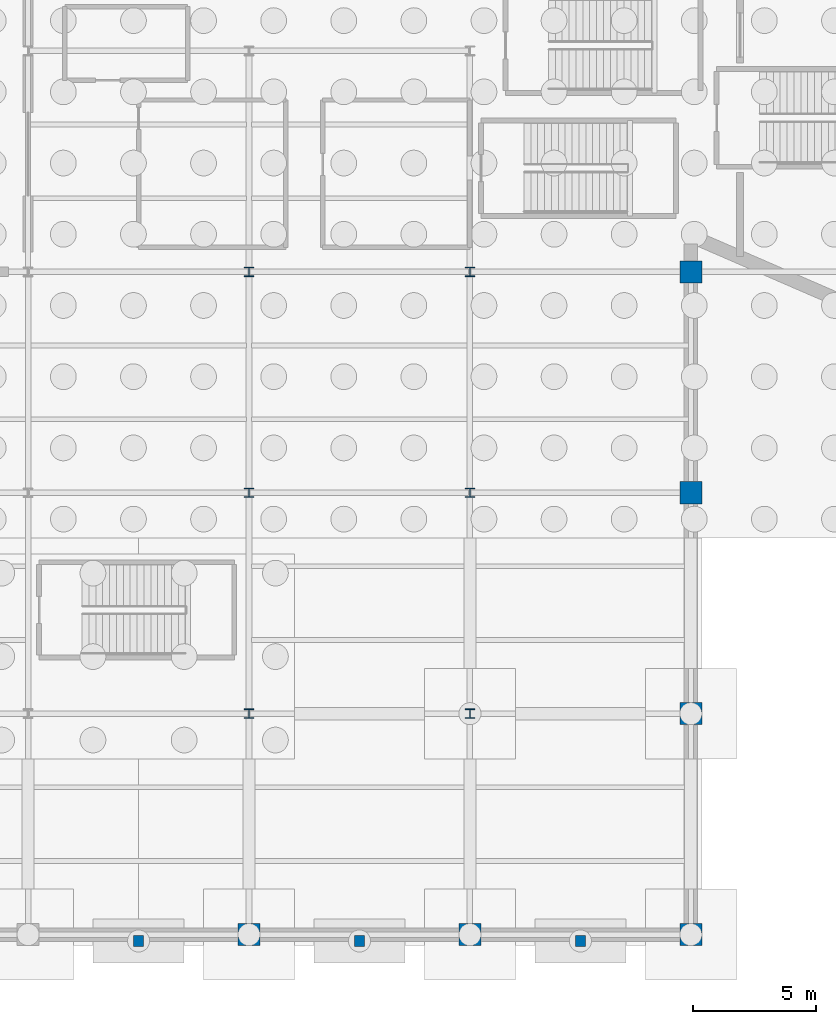
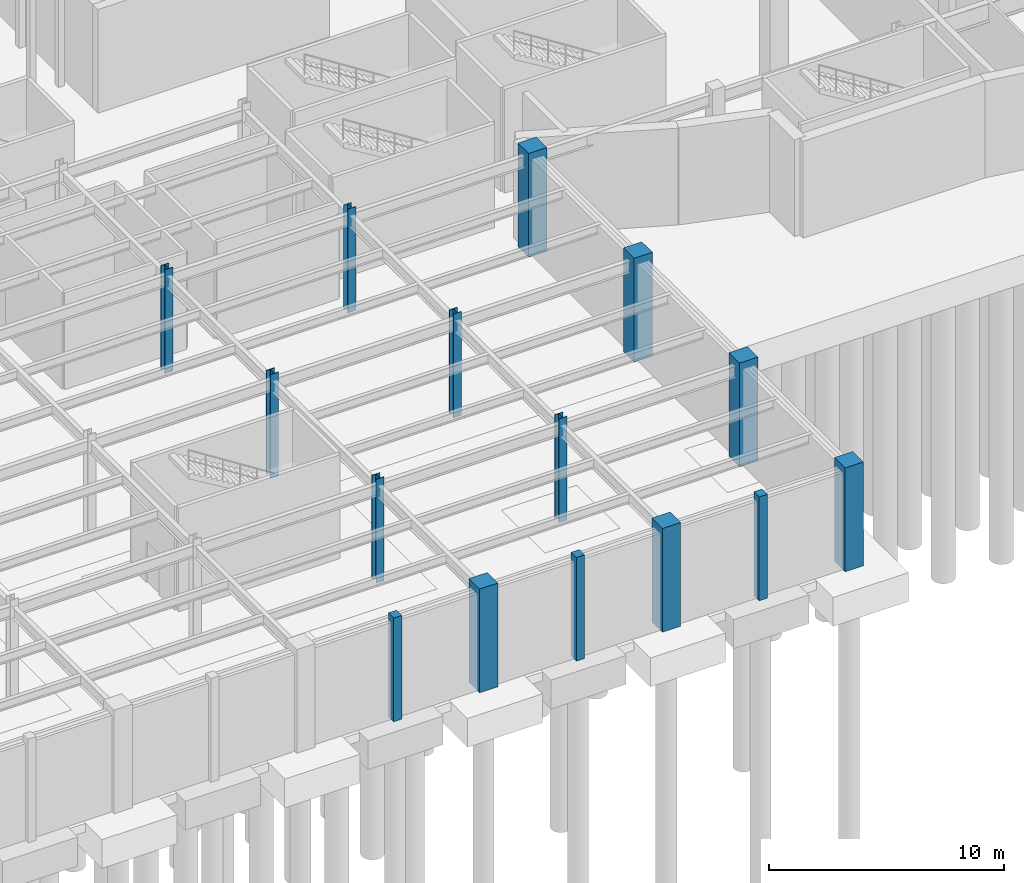
# One storey, part 11 of 56: 15 columns.
"""IFC4 building model written with IfcOpenShell, lengths in metres."""

from ifc_helpers import new_model, si_unit, direction, frame, origin, origin_2d, place, context, subcontext, project, spatial, rectangle, i_section, extrude, material, material_profile, profile_set, type_object, element, save


model = new_model("IFC4")

# Units and contexts
model_context = context("Model", 3, precision=1e-05, world=origin(), true_north=direction((0.0, 1.0)))
body_context = subcontext(model_context, "Body", "Model", "MODEL_VIEW")
ifc_project = project(units=[si_unit("LENGTHUNIT", "METRE"), si_unit("AREAUNIT", "SQUARE_METRE"), si_unit("VOLUMEUNIT", "CUBIC_METRE"), si_unit("PLANEANGLEUNIT", "RADIAN"), si_unit("MASSUNIT", "GRAM", prefix="KILO")], contexts=[model_context])

# Site, building, storey
site_placement = place(None, origin())
site = spatial("IfcSite", under=ifc_project, at=site_placement, CompositionType="ELEMENT")
building_placement = place(site_placement, origin())
building = spatial("IfcBuilding", under=site, at=building_placement, Name="Glasvene Arena", CompositionType="ELEMENT")
storey_placement = place(building_placement, frame((0.0, 0.0, -5.39990234375)))
storey = spatial("IfcBuildingStorey", under=building, at=storey_placement, Name="B1", CompositionType="ELEMENT", Elevation=-5.39990234375)

# Columns
ifc_material_1 = material(Name="Concrete C40/50", Category="concrete")
ifc_material_profile_1 = material_profile(ifc_material_1, rectangle(XDim=0.89990234375, YDim=0.89990234375, at=origin_2d()), Name="RC 900x900")
ifc_profile_set_1 = profile_set([ifc_material_profile_1], Name="Concrete C40/50")
column_type_1 = type_object("IfcColumnType", Name="COL-BOWL-RC900", PredefinedType="COLUMN", material=ifc_profile_set_1)
for number, where, z_axis, x_axis, name in (
    (1, (36.0, 0.0, 0.0), (0.0, 0.0, 1.0), (1.0, 0.0, 0.0), "Grid column 5-1 B1"),
    (2, (45.0, 0.0, 0.0), (0.0, 0.0, 1.0), (1.0, 0.0, 0.0), "Grid column 6-1 B1"),
    (3, (54.0, 0.0, 0.0), (0.0, 0.0, 1.0), (1.0, 0.0, 0.0), "Grid column 7-1 B1"),
    (4, (54.0, 9.0, 0.0), (0.0, 0.0, 1.0), (1.0, 0.0, 0.0), "Grid column 7-2 B1"),
    (5, (54.0, 18.0, 0.0), (0.0, 0.0, 1.0), (1.0, 0.0, 0.0), "Grid column 7-3 B1"),
    (6, (54.0, 27.0, 0.0), (0.0, 0.0, 1.0), (1.0, 0.0, 0.0), "Grid column 7-4 B1"),
):
    element("IfcColumn", number, at=place(storey_placement, frame(where, z_axis=z_axis, x_axis=x_axis)), inside=storey, type_object=column_type_1, Name=name, PredefinedType="COLUMN", context=body_context, shape_type="SweptSolid", body=[
        extrude(rectangle(XDim=0.89990234375, YDim=0.89990234375, at=origin_2d()), origin(), (0.0, 0.0, 1.0), 5.39990234375),
    ])
ifc_material_2 = material(Name="Steel S355J2", Category="steel")
ifc_material_profile_2 = material_profile(ifc_material_2, i_section(OverallWidth=0.394775390625, OverallDepth=0.381103515625, WebThickness=0.018310546875, FlangeThickness=0.0302734375, FilletRadius=0.01513671875, at=origin_2d()), Name="UKC 356x406x235")
ifc_profile_set_2 = profile_set([ifc_material_profile_2], Name="Steel S355J2")
column_type_2 = type_object("IfcColumnType", Name="COL-W-UKC235", PredefinedType="COLUMN", material=ifc_profile_set_2)
for number, where, z_axis, x_axis, name in (
    (7, (36.0, 9.0, 0.0), (0.0, 0.0, 1.0), (1.0, 0.0, 0.0), "Grid column 5-2 B1"),
    (8, (36.0, 18.0, 0.0), (0.0, 0.0, 1.0), (1.0, 0.0, 0.0), "Grid column 5-3 B1"),
    (9, (36.0, 27.0, 0.0), (0.0, 0.0, 1.0), (1.0, 0.0, 0.0), "Grid column 5-4 B1"),
    (10, (45.0, 9.0, 0.0), (0.0, 0.0, 1.0), (1.0, 0.0, 0.0), "Grid column 6-2 B1"),
    (11, (45.0, 18.0, 0.0), (0.0, 0.0, 1.0), (1.0, 0.0, 0.0), "Grid column 6-3 B1"),
    (12, (45.0, 27.0, 0.0), (0.0, 0.0, 1.0), (1.0, 0.0, 0.0), "Grid column 6-4 B1"),
):
    element("IfcColumn", number, at=place(storey_placement, frame(where, z_axis=z_axis, x_axis=x_axis)), inside=storey, type_object=column_type_2, Name=name, PredefinedType="COLUMN", context=body_context, shape_type="SweptSolid", body=[
        extrude(i_section(OverallWidth=0.394775390625, OverallDepth=0.381103515625, WebThickness=0.018310546875, FlangeThickness=0.0302734375, FilletRadius=0.01513671875, at=origin_2d()), origin(), (0.0, 0.0, 1.0), 5.39990234375),
    ])
ifc_material_3 = material(Name="Precast concrete C50/60", Category="concrete")
ifc_material_profile_3 = material_profile(ifc_material_3, rectangle(XDim=0.39990234375, YDim=0.449951171875, at=origin_2d()), Name="RC 400x450")
ifc_profile_set_3 = profile_set([ifc_material_profile_3], Name="Precast concrete C50/60")
column_type_3 = type_object("IfcColumnType", Name="PIL-LIM-400", PredefinedType="PILASTER", material=ifc_profile_set_3)
for number, where, z_axis, x_axis, name in (
    (13, (31.5, -0.260009765625, 0.0), (0.0, 0.0, 1.0), (1.0, 0.0, 0.0), "Limestone pilaster PL-04 B1"),
    (14, (40.5, -0.260009765625, 0.0), (0.0, 0.0, 1.0), (1.0, 0.0, 0.0), "Limestone pilaster PL-05 B1"),
    (15, (49.5, -0.260009765625, 0.0), (0.0, 0.0, 1.0), (1.0, 0.0, 0.0), "Limestone pilaster PL-06 B1"),
):
    element("IfcColumn", number, at=place(storey_placement, frame(where, z_axis=z_axis, x_axis=x_axis)), inside=storey, type_object=column_type_3, Name=name, PredefinedType="PILASTER", context=body_context, shape_type="SweptSolid", body=[
        extrude(rectangle(XDim=0.39990234375, YDim=0.449951171875, at=origin_2d()), origin(), (0.0, 0.0, 1.0), 5.39990234375),
    ])

save(model, "model.ifc")
